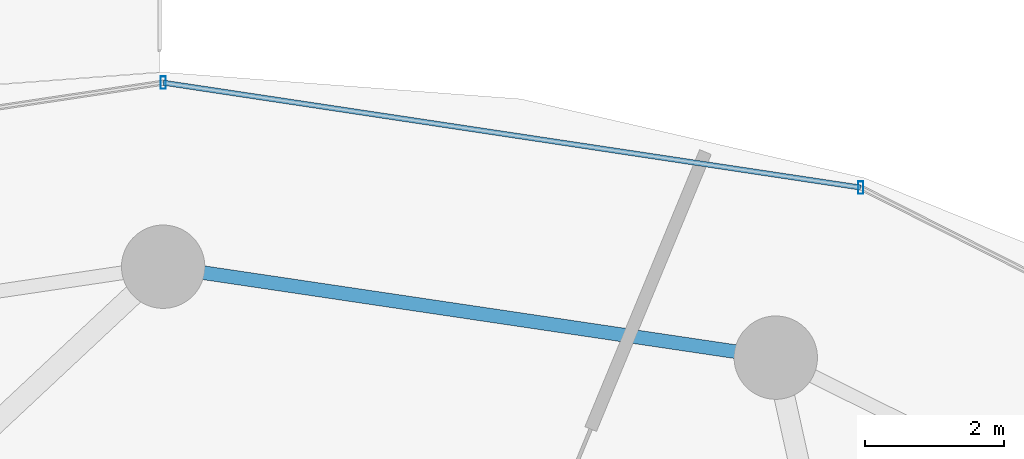
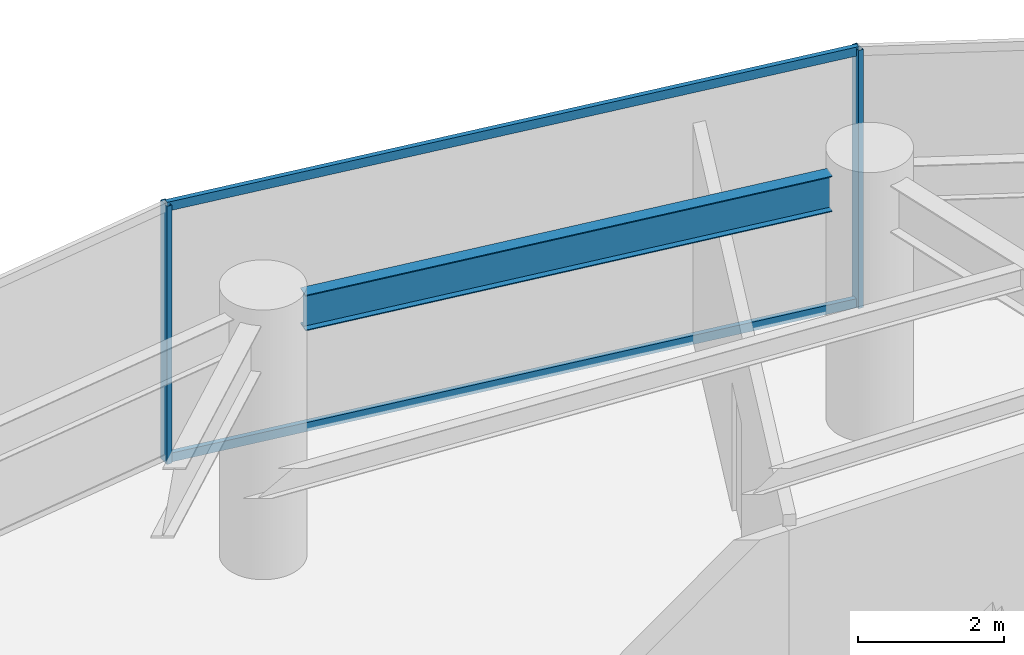
# One storey, part 17 of 27: 4 members, 1 beam, 1 element without a shape of its own.
"""IFC4 building model written with IfcOpenShell, lengths in metres."""

from ifc_helpers import new_model, si_unit, direction, frame, origin, origin_2d, place, context, subcontext, project, spatial, hollow_rectangle, i_section, extrude, material, material_profile, profile_set, type_object, element, aggregate, save


model = new_model("IFC4")

# Units and contexts
model_context = context("Model", 3, precision=1e-05, world=origin(), true_north=direction((0.0, 1.0)))
body_context = subcontext(model_context, "Body", "Model", "MODEL_VIEW")
ifc_project = project(units=[si_unit("LENGTHUNIT", "METRE"), si_unit("AREAUNIT", "SQUARE_METRE"), si_unit("VOLUMEUNIT", "CUBIC_METRE"), si_unit("PLANEANGLEUNIT", "RADIAN"), si_unit("MASSUNIT", "GRAM", prefix="KILO")], contexts=[model_context])

# Site, building, storey
site_placement = place(None, origin())
site = spatial("IfcSite", under=ifc_project, at=site_placement, CompositionType="ELEMENT")
building_placement = place(site_placement, origin())
building = spatial("IfcBuilding", under=site, at=building_placement, Name="Vorneva Point Tower", CompositionType="ELEMENT")
storey_placement = place(building_placement, frame((0.0, 0.0, 74.300048828125)))
storey = spatial("IfcBuildingStorey", under=building, at=storey_placement, Name="L19", CompositionType="ELEMENT", Elevation=74.300048828125)

# Beam
ifc_material_1 = material(Name="Steel S355", Category="steel")
ifc_material_profile_1 = material_profile(ifc_material_1, i_section(OverallWidth=0.198974609375, OverallDepth=0.595947265625, WebThickness=0.010009765625, FlangeThickness=0.014892578125, at=origin_2d()), Name="60B1")
ifc_profile_set_1 = profile_set([ifc_material_profile_1], Name="Steel S355")
beam_type = type_object("IfcBeamType", Name="BM-SPN-60B1", PredefinedType="SPANDREL", material=ifc_profile_set_1)
beam_placement = place(storey_placement, frame((46.2421875, 41.9765625, 3.94189453125), z_axis=(-0.989164004747, 0.146814753046, 0.0), x_axis=(-0.146814753046, -0.989164004747, 0.0)))
element("IfcBeam", 1, at=beam_placement, inside=storey, type_object=beam_type, Name="L19 Perimeter Spandrel Ring Beam 04", PredefinedType="SPANDREL", context=body_context, shape_type="SweptSolid", body=[
    extrude(i_section(OverallWidth=0.198974609375, OverallDepth=0.595947265625, WebThickness=0.010009765625, FlangeThickness=0.014892578125, at=origin_2d()), origin(), (0.0, 0.0, 1.0), 7.74755859375),
])

# Curtain wall, members
ifc_material_2 = material(Name="Pale anodised aluminium", Category="aluminium")
curtain_wall_type = type_object("IfcCurtainWallType", Name="CW-SKY-SYS", PredefinedType="NOTDEFINED", material=ifc_material_2)
curtain_wall_placement = place(storey_placement, origin())
curtain_wall = element("IfcCurtainWall", 2, at=curtain_wall_placement, inside=storey, type_object=curtain_wall_type, Name="L19 Unitised Curtain Wall CW-L19-R02", PredefinedType="NOTDEFINED")
ifc_material_profile_2 = material_profile(ifc_material_2, hollow_rectangle(XDim=0.074951171875, YDim=0.179931640625, WallThickness=0.00390625, at=origin_2d()), Name="AL-MUL 180x75x4")
ifc_profile_set_2 = profile_set([ifc_material_profile_2], Name="Pale anodised aluminium")
member_type_1 = type_object("IfcMemberType", Name="CW-MUL-180", PredefinedType="MULLION", material=ifc_profile_set_2)
member_1_placement = place(storey_placement, frame((48.04541015625, 44.339111328125, -0.0400390625), z_axis=(0.0, 0.0, 1.0), x_axis=(1.0, 0.0, 0.0)))
member_1 = element("IfcMember", 3, at=member_1_placement, type_object=member_type_1, Name="CW-L19-R02 Mullion 02", PredefinedType="MULLION", context=body_context, shape_type="SweptSolid", body=[
    extrude(hollow_rectangle(XDim=0.074951171875, YDim=0.179931640625, WallThickness=0.00390625, at=origin_2d()), origin(), (0.0, 0.0, 1.0), 4.31005859375),
])
member_2_placement = place(storey_placement, frame((38.0, 45.85009765625, -0.0400390625), z_axis=(0.0, 0.0, 1.0), x_axis=(1.0, 0.0, 0.0)))
member_2 = element("IfcMember", 4, at=member_2_placement, type_object=member_type_1, Name="CW-L19-R02 Mullion 03", PredefinedType="MULLION", context=body_context, shape_type="SweptSolid", body=[
    extrude(hollow_rectangle(XDim=0.074951171875, YDim=0.179931640625, WallThickness=0.00390625, at=origin_2d()), origin(), (0.0, 0.0, 1.0), 4.31005859375),
])
ifc_material_profile_3 = material_profile(ifc_material_2, hollow_rectangle(XDim=0.074951171875, YDim=0.14990234375, WallThickness=0.00390625, at=origin_2d()), Name="AL-TRN 150x75x4")
ifc_profile_set_3 = profile_set([ifc_material_profile_3], Name="Pale anodised aluminium")
member_type_2 = type_object("IfcMemberType", Name="CW-TRN-150", PredefinedType="USERDEFINED", material=ifc_profile_set_3)
member_3_placement = place(storey_placement, frame((48.04541015625, 44.339111328125, 0.02001953125), z_axis=(-0.988875982167, 0.148742367512, 0.0), x_axis=(-0.148742367512, -0.988875982167, 0.0)))
member_3 = element("IfcMember", 5, at=member_3_placement, type_object=member_type_2, Name="CW-L19-R02 Transom 02.1", ObjectType="TRANSOM", PredefinedType="USERDEFINED", context=body_context, shape_type="SweptSolid", body=[
    extrude(hollow_rectangle(XDim=0.074951171875, YDim=0.14990234375, WallThickness=0.00390625, at=origin_2d()), origin(), (0.0, 0.0, 1.0), 10.158447265625),
])
member_4_placement = place(storey_placement, frame((48.04541015625, 44.339111328125, 4.219970703125), z_axis=(-0.988875982167, 0.148742367512, 0.0), x_axis=(-0.148742367512, -0.988875982167, 0.0)))
member_4 = element("IfcMember", 6, at=member_4_placement, type_object=member_type_2, Name="CW-L19-R02 Transom 02.2", ObjectType="TRANSOM", PredefinedType="USERDEFINED", context=body_context, shape_type="SweptSolid", body=[
    extrude(hollow_rectangle(XDim=0.074951171875, YDim=0.14990234375, WallThickness=0.00390625, at=origin_2d()), origin(), (0.0, 0.0, 1.0), 10.158447265625),
])
aggregate(curtain_wall, [member_1, member_2, member_3, member_4])

save(model, "model.ifc")
